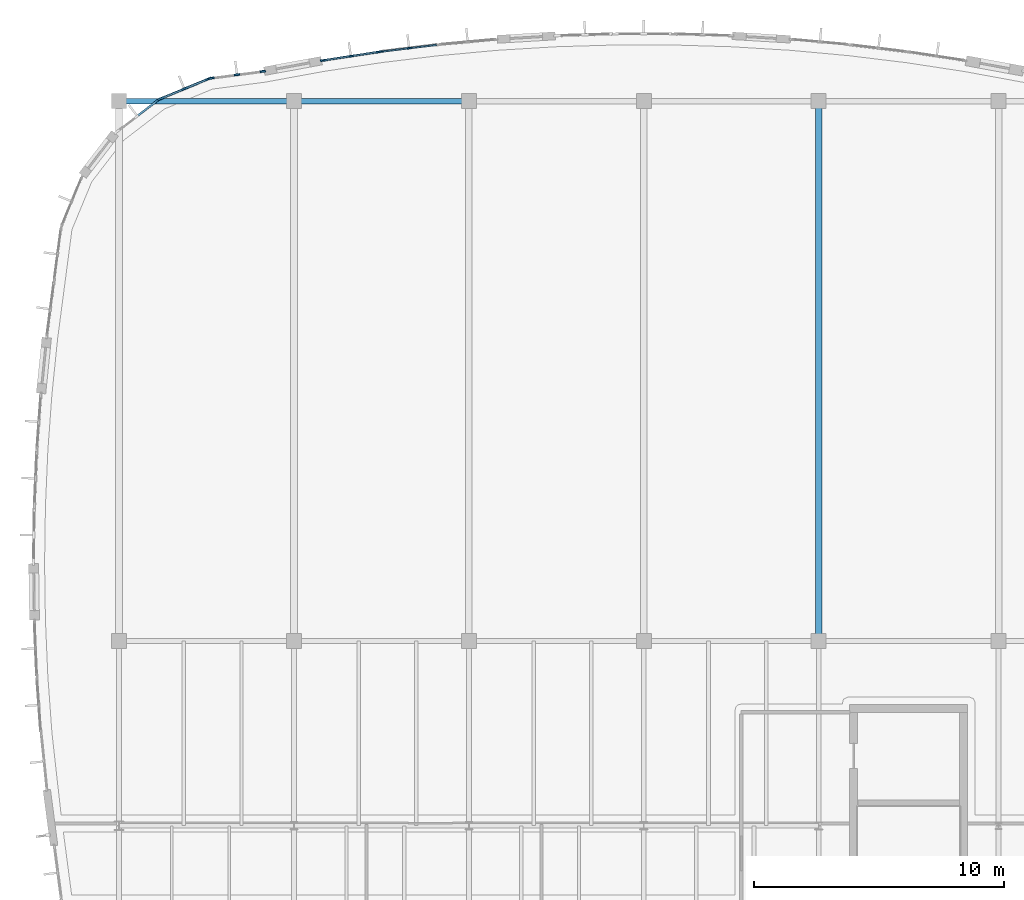
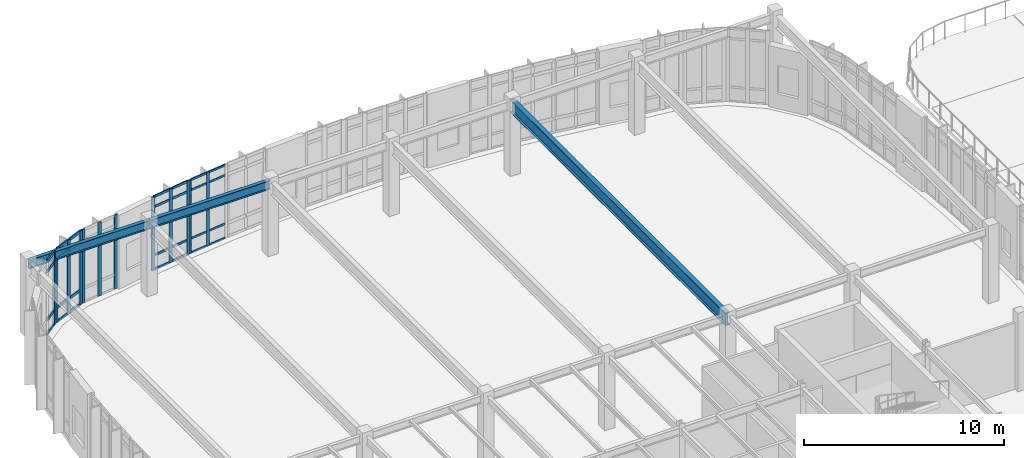
# One storey, part 46 of 120: 40 members, 3 beams, 5 elements without a shape of their own.
"""IFC4 building model written with IfcOpenShell, lengths in metres."""

from ifc_helpers import new_model, si_unit, direction, frame, origin, origin_2d, place, context, subcontext, project, spatial, rectangle, i_section, extrude, material, material_profile, profile_set, type_object, element, aggregate, save


model = new_model("IFC4")

# Units and contexts
model_context = context("Model", 3, precision=1e-05, world=origin(), true_north=direction((0.0, 1.0)))
body_context = subcontext(model_context, "Body", "Model", "MODEL_VIEW")
ifc_project = project(units=[si_unit("LENGTHUNIT", "METRE"), si_unit("AREAUNIT", "SQUARE_METRE"), si_unit("VOLUMEUNIT", "CUBIC_METRE"), si_unit("PLANEANGLEUNIT", "RADIAN"), si_unit("MASSUNIT", "GRAM", prefix="KILO")], contexts=[model_context])

# Site, building, storey
site_placement = place(None, origin())
site = spatial("IfcSite", under=ifc_project, at=site_placement, CompositionType="ELEMENT")
building_placement = place(site_placement, origin())
building = spatial("IfcBuilding", under=site, at=building_placement, Name="Corveleigh Park Community Centre", CompositionType="ELEMENT")
storey_placement = place(building_placement, origin())
storey = spatial("IfcBuildingStorey", under=building, at=storey_placement, Name="L00", CompositionType="ELEMENT", Elevation=0.0)

# Beams
ifc_material_1 = material(Name="Steel S355", Category="steel")
ifc_material_profile_1 = material_profile(ifc_material_1, i_section(OverallWidth=0.2099609375, OverallDepth=0.53662109375, WebThickness=0.0107421875, FlangeThickness=0.017333984375, at=origin_2d()), Name="UKB 533x210x101", Category="steel")
ifc_profile_set_1 = profile_set([ifc_material_profile_1], Name="Steel S355")
beam_type_1 = type_object("IfcBeamType", Name="BM-STL-UKB533x101", PredefinedType="BEAM", material=ifc_profile_set_1)
for number, where, z_axis, x_axis, name in (
    (1, (11.205078125, 114.39990234375, 4.24365234375), (1.0, 0.0, 0.0), (0.0, 1.0, 0.0), "V2 North Hall Girder"),
    (2, (18.205078125, 114.39990234375, 4.24365234375), (1.0, 0.0, 0.0), (0.0, 1.0, 0.0), "V2 North Hall Girder"),
):
    element("IfcBeam", number, at=place(storey_placement, frame(where, z_axis=z_axis, x_axis=x_axis)), inside=storey, type_object=beam_type_1, Name=name, PredefinedType="BEAM", context=body_context, shape_type="SweptSolid", body=[
        extrude(i_section(OverallWidth=0.2099609375, OverallDepth=0.53662109375, WebThickness=0.0107421875, FlangeThickness=0.017333984375, at=origin_2d()), origin(), (0.0, 0.0, 1.0), 6.989990234375),
    ])
ifc_material_profile_2 = material_profile(ifc_material_1, i_section(OverallWidth=0.2666015625, OverallDepth=0.76220703125, WebThickness=0.014404296875, FlangeThickness=0.021484375, at=origin_2d()), Name="UKB 762x267x173", Category="steel")
ifc_profile_set_2 = profile_set([ifc_material_profile_2], Name="Steel S355")
beam_type_2 = type_object("IfcBeamType", Name="BM-STL-UKB762x173", PredefinedType="BEAM", material=ifc_profile_set_2)
beam_placement = place(storey_placement, frame((39.199951171875, 92.804931640625, 4.14599609375), z_axis=(0.0, 1.0, 0.0), x_axis=(-1.0, 0.0, 0.0)))
element("IfcBeam", 3, at=beam_placement, inside=storey, type_object=beam_type_2, Name="V2 Hall Floor Girder", PredefinedType="BEAM", context=body_context, shape_type="SweptSolid", body=[
    extrude(i_section(OverallWidth=0.2666015625, OverallDepth=0.76220703125, WebThickness=0.014404296875, FlangeThickness=0.021484375, at=origin_2d()), origin(), (0.0, 0.0, 1.0), 21.590087890625),
])

# Curtain wall, members
ifc_material_2 = material(Name="Anodised aluminium 6063-T6", Category="aluminium")
curtain_wall_type = type_object("IfcCurtainWallType", Name="CW-SYS-V2-L00", PredefinedType="NOTDEFINED", material=ifc_material_2)
curtain_wall_1_placement = place(storey_placement, origin())
curtain_wall_1 = element("IfcCurtainWall", 4, at=curtain_wall_1_placement, inside=storey, type_object=curtain_wall_type, Name="V2 L00 Curtain Wall 56", PredefinedType="NOTDEFINED")
ifc_material_profile_3 = material_profile(ifc_material_2, rectangle(XDim=0.06494140625, YDim=0.179931640625, at=origin_2d()), Name="ALU-M65x180", Category="aluminium")
ifc_profile_set_3 = profile_set([ifc_material_profile_3], Name="Anodised aluminium 6063-T6")
member_type_1 = type_object("IfcMemberType", Name="CWM-65x180", PredefinedType="MULLION", material=ifc_profile_set_3)
member_1_placement = place(storey_placement, frame((21.682373046875, 116.384033203125, 0.0), z_axis=(0.0, 0.0, 1.0), x_axis=(-0.120714875524, 0.992687221046, 0.0)))
member_1 = element("IfcMember", 5, at=member_1_placement, type_object=member_type_1, Name="CW03 mullion 1", PredefinedType="MULLION", context=body_context, shape_type="SweptSolid", body=[
    extrude(rectangle(XDim=0.06494140625, YDim=0.179931640625, at=origin_2d()), origin(), (0.0, 0.0, 1.0), 4.511962890625),
])
member_2_placement = place(storey_placement, frame((22.8095703125, 116.52099609375, 0.0), z_axis=(0.0, 0.0, 1.0), x_axis=(-0.120714875524, 0.992687221046, 0.0)))
member_2 = element("IfcMember", 6, at=member_2_placement, type_object=member_type_1, Name="CW03 mullion 2", PredefinedType="MULLION", context=body_context, shape_type="SweptSolid", body=[
    extrude(rectangle(XDim=0.06494140625, YDim=0.179931640625, at=origin_2d()), origin(), (0.0, 0.0, 1.0), 4.511962890625),
])

curtain_wall_2_placement = place(storey_placement, origin())
curtain_wall_2 = element("IfcCurtainWall", 7, at=curtain_wall_2_placement, inside=storey, type_object=curtain_wall_type, Name="V2 L00 Curtain Wall 57", PredefinedType="NOTDEFINED")
ifc_material_profile_4 = material_profile(ifc_material_2, rectangle(XDim=0.070068359375, YDim=0.199951171875, at=origin_2d()), Name="ALU-M70x200", Category="aluminium")
ifc_profile_set_4 = profile_set([ifc_material_profile_4], Name="Anodised aluminium 6063-T6")
member_type_2 = type_object("IfcMemberType", Name="CWM-70x200", PredefinedType="MULLION", material=ifc_profile_set_4)
member_3_placement = place(storey_placement, frame((19.358642578125, 116.03125, 0.0), z_axis=(0.0, 0.0, 1.0), x_axis=(-0.150769611128, 0.988568927471, 0.0)))
member_3 = element("IfcMember", 8, at=member_3_placement, type_object=member_type_2, Name="CW03 mullion 1", PredefinedType="MULLION", context=body_context, shape_type="SweptSolid", body=[
    extrude(rectangle(XDim=0.070068359375, YDim=0.199951171875, at=origin_2d()), origin(), (0.0, 0.0, 1.0), 4.511962890625),
])
member_4_placement = place(storey_placement, frame((20.47802734375, 116.201904296875, 0.0), z_axis=(0.0, 0.0, 1.0), x_axis=(-0.150769611128, 0.988568927471, 0.0)))
member_4 = element("IfcMember", 9, at=member_4_placement, type_object=member_type_2, Name="CW03 mullion 2", PredefinedType="MULLION", context=body_context, shape_type="SweptSolid", body=[
    extrude(rectangle(XDim=0.070068359375, YDim=0.199951171875, at=origin_2d()), origin(), (0.0, 0.0, 1.0), 4.511962890625),
])
member_5_placement = place(storey_placement, frame((21.597412109375, 116.372802734375, 0.0), z_axis=(0.0, 0.0, 1.0), x_axis=(-0.150769611128, 0.988568927471, 0.0)))
member_5 = element("IfcMember", 10, at=member_5_placement, type_object=member_type_2, Name="CW03 mullion 3", PredefinedType="MULLION", context=body_context, shape_type="SweptSolid", body=[
    extrude(rectangle(XDim=0.070068359375, YDim=0.199951171875, at=origin_2d()), origin(), (0.0, 0.0, 1.0), 4.511962890625),
])

curtain_wall_3_placement = place(storey_placement, origin())
curtain_wall_3 = element("IfcCurtainWall", 11, at=curtain_wall_3_placement, inside=storey, type_object=curtain_wall_type, Name="V2 L00 Curtain Wall 58", PredefinedType="NOTDEFINED")
ifc_material_profile_5 = material_profile(ifc_material_2, rectangle(XDim=0.074951171875, YDim=0.219970703125, at=origin_2d()), Name="ALU-M75x220", Category="aluminium")
ifc_profile_set_5 = profile_set([ifc_material_profile_5], Name="Anodised aluminium 6063-T6")
member_type_3 = type_object("IfcMemberType", Name="CWM-75x220", PredefinedType="MULLION", material=ifc_profile_set_5)
member_6_placement = place(storey_placement, frame((14.895263671875, 115.322998046875, 0.0), z_axis=(0.0, 0.0, 1.0), x_axis=(-0.130731305458, 0.991417836118, 0.0)))
member_6 = element("IfcMember", 12, at=member_6_placement, type_object=member_type_3, Name="CW03 mullion 1", PredefinedType="MULLION", context=body_context, shape_type="SweptSolid", body=[
    extrude(rectangle(XDim=0.074951171875, YDim=0.219970703125, at=origin_2d()), origin(), (0.0, 0.0, 1.0), 4.511962890625),
])
member_7_placement = place(storey_placement, frame((15.923583984375, 115.45849609375, 0.0), z_axis=(0.0, 0.0, 1.0), x_axis=(-0.130731305458, 0.991417836118, 0.0)))
member_7 = element("IfcMember", 13, at=member_7_placement, type_object=member_type_3, Name="CW03 mullion 2", PredefinedType="MULLION", context=body_context, shape_type="SweptSolid", body=[
    extrude(rectangle(XDim=0.074951171875, YDim=0.219970703125, at=origin_2d()), origin(), (0.0, 0.0, 1.0), 4.511962890625),
])
member_8_placement = place(storey_placement, frame((16.951904296875, 115.593994140625, 0.0), z_axis=(0.0, 0.0, 1.0), x_axis=(-0.130731305458, 0.991417836118, 0.0)))
member_8 = element("IfcMember", 14, at=member_8_placement, type_object=member_type_3, Name="CW03 mullion 3", PredefinedType="MULLION", context=body_context, shape_type="SweptSolid", body=[
    extrude(rectangle(XDim=0.074951171875, YDim=0.219970703125, at=origin_2d()), origin(), (0.0, 0.0, 1.0), 4.511962890625),
])
aggregate(curtain_wall_3, [member_6, member_7, member_8])

curtain_wall_4_placement = place(storey_placement, origin())
curtain_wall_4 = element("IfcCurtainWall", 15, at=curtain_wall_4_placement, inside=storey, type_object=curtain_wall_type, Name="V2 L00 Curtain Wall 59", PredefinedType="NOTDEFINED")
ifc_material_profile_6 = material_profile(ifc_material_2, rectangle(XDim=0.080078125, YDim=0.25, at=origin_2d()), Name="ALU-M80x250", Category="aluminium")
ifc_profile_set_6 = profile_set([ifc_material_profile_6], Name="Anodised aluminium 6063-T6")
member_type_4 = type_object("IfcMemberType", Name="CWM-80x250", PredefinedType="MULLION", material=ifc_profile_set_6)
member_9_placement = place(storey_placement, frame((12.866943359375, 114.502197265625, 0.0), z_axis=(0.0, 0.0, 1.0), x_axis=(-0.382946568059, 0.923770494231, 0.0)))
member_9 = element("IfcMember", 16, at=member_9_placement, type_object=member_type_4, Name="CW03 mullion 1", PredefinedType="MULLION", context=body_context, shape_type="SweptSolid", body=[
    extrude(rectangle(XDim=0.080078125, YDim=0.25, at=origin_2d()), origin(), (0.0, 0.0, 1.0), 4.511962890625),
])
member_10_placement = place(storey_placement, frame((13.81298828125, 114.89453125, 0.0), z_axis=(0.0, 0.0, 1.0), x_axis=(-0.382946568059, 0.923770494231, 0.0)))
member_10 = element("IfcMember", 17, at=member_10_placement, type_object=member_type_4, Name="CW03 mullion 2", PredefinedType="MULLION", context=body_context, shape_type="SweptSolid", body=[
    extrude(rectangle(XDim=0.080078125, YDim=0.25, at=origin_2d()), origin(), (0.0, 0.0, 1.0), 4.511962890625),
])
member_11_placement = place(storey_placement, frame((14.759033203125, 115.28662109375, 0.0), z_axis=(0.0, 0.0, 1.0), x_axis=(-0.382946568059, 0.923770494231, 0.0)))
member_11 = element("IfcMember", 18, at=member_11_placement, type_object=member_type_4, Name="CW03 mullion 3", PredefinedType="MULLION", context=body_context, shape_type="SweptSolid", body=[
    extrude(rectangle(XDim=0.080078125, YDim=0.25, at=origin_2d()), origin(), (0.0, 0.0, 1.0), 4.511962890625),
])

# Curtain wall, member
curtain_wall_5_placement = place(storey_placement, origin())
curtain_wall_5 = element("IfcCurtainWall", 19, at=curtain_wall_5_placement, inside=storey, type_object=curtain_wall_type, Name="V2 L00 Curtain Wall 60", PredefinedType="NOTDEFINED")
ifc_material_profile_7 = material_profile(ifc_material_2, rectangle(XDim=0.0849609375, YDim=0.27490234375, at=origin_2d()), Name="ALU-M85x275", Category="aluminium")
ifc_profile_set_7 = profile_set([ifc_material_profile_7], Name="Anodised aluminium 6063-T6")
member_type_5 = type_object("IfcMemberType", Name="CWM-85x275", PredefinedType="MULLION", material=ifc_profile_set_7)
member_12_placement = place(storey_placement, frame((12.7412109375, 114.43017578125, 0.0), z_axis=(0.0, 0.0, 1.0), x_axis=(-0.608825655317, 0.793304053581, 0.0)))
member_12 = element("IfcMember", 20, at=member_12_placement, type_object=member_type_5, Name="CW03 mullion 3", PredefinedType="MULLION", context=body_context, shape_type="SweptSolid", body=[
    extrude(rectangle(XDim=0.0849609375, YDim=0.27490234375, at=origin_2d()), origin(), (0.0, 0.0, 1.0), 4.511962890625),
])

# Member
ifc_material_profile_8 = material_profile(ifc_material_2, rectangle(XDim=0.06005859375, YDim=0.1201171875, at=origin_2d()), Name="ALU-T60x120", Category="aluminium")
ifc_profile_set_8 = profile_set([ifc_material_profile_8], Name="Anodised aluminium 6063-T6")
member_type_6 = type_object("IfcMemberType", Name="CWT-60x120", PredefinedType="USERDEFINED", material=ifc_profile_set_8)
member_13_placement = place(storey_placement, frame((21.714599609375, 116.387939453125, 0.030029296875), z_axis=(0.9926965865, 0.120637834656, 0.0), x_axis=(-0.120637834656, 0.9926965865, 0.0)))
member_13 = element("IfcMember", 21, at=member_13_placement, type_object=member_type_6, Name="CW03 transom 1.1", ObjectType="TRANSOM", PredefinedType="USERDEFINED", context=body_context, shape_type="SweptSolid", body=[
    extrude(rectangle(XDim=0.06005859375, YDim=0.1201171875, at=origin_2d()), origin(), (0.0, 0.0, 1.0), 1.070556640625),
])

member_14_placement = place(storey_placement, frame((21.714599609375, 116.387939453125, 0.89990234375), z_axis=(0.9926965865, 0.120637834656, 0.0), x_axis=(-0.120637834656, 0.9926965865, 0.0)))
member_14 = element("IfcMember", 22, at=member_14_placement, type_object=member_type_6, Name="CW03 transom 1.2", ObjectType="TRANSOM", PredefinedType="USERDEFINED", context=body_context, shape_type="SweptSolid", body=[
    extrude(rectangle(XDim=0.06005859375, YDim=0.1201171875, at=origin_2d()), origin(), (0.0, 0.0, 1.0), 1.070556640625),
])

member_15_placement = place(storey_placement, frame((21.714599609375, 116.387939453125, 3.862060546875), z_axis=(0.9926965865, 0.120637834656, 0.0), x_axis=(-0.120637834656, 0.9926965865, 0.0)))
member_15 = element("IfcMember", 23, at=member_15_placement, type_object=member_type_6, Name="CW03 transom 1.3", ObjectType="TRANSOM", PredefinedType="USERDEFINED", context=body_context, shape_type="SweptSolid", body=[
    extrude(rectangle(XDim=0.06005859375, YDim=0.1201171875, at=origin_2d()), origin(), (0.0, 0.0, 1.0), 1.070556640625),
])

member_16_placement = place(storey_placement, frame((21.714599609375, 116.387939453125, 4.48193359375), z_axis=(0.9926965865, 0.120637834656, 0.0), x_axis=(-0.120637834656, 0.9926965865, 0.0)))
member_16 = element("IfcMember", 24, at=member_16_placement, type_object=member_type_6, Name="CW03 transom 1.4", ObjectType="TRANSOM", PredefinedType="USERDEFINED", context=body_context, shape_type="SweptSolid", body=[
    extrude(rectangle(XDim=0.06005859375, YDim=0.1201171875, at=origin_2d()), origin(), (0.0, 0.0, 1.0), 1.070556640625),
])

member_17_placement = place(storey_placement, frame((22.841796875, 116.52490234375, 0.030029296875), z_axis=(0.9926965865, 0.120637834656, 0.0), x_axis=(-0.120637834656, 0.9926965865, 0.0)))
member_17 = element("IfcMember", 25, at=member_17_placement, type_object=member_type_6, Name="CW03 transom 2.1", ObjectType="TRANSOM", PredefinedType="USERDEFINED", context=body_context, shape_type="SweptSolid", body=[
    extrude(rectangle(XDim=0.06005859375, YDim=0.1201171875, at=origin_2d()), origin(), (0.0, 0.0, 1.0), 1.070556640625),
])

member_18_placement = place(storey_placement, frame((22.841796875, 116.52490234375, 0.89990234375), z_axis=(0.9926965865, 0.120637834656, 0.0), x_axis=(-0.120637834656, 0.9926965865, 0.0)))
member_18 = element("IfcMember", 26, at=member_18_placement, type_object=member_type_6, Name="CW03 transom 2.2", ObjectType="TRANSOM", PredefinedType="USERDEFINED", context=body_context, shape_type="SweptSolid", body=[
    extrude(rectangle(XDim=0.06005859375, YDim=0.1201171875, at=origin_2d()), origin(), (0.0, 0.0, 1.0), 1.070556640625),
])

member_19_placement = place(storey_placement, frame((22.841796875, 116.52490234375, 3.862060546875), z_axis=(0.9926965865, 0.120637834656, 0.0), x_axis=(-0.120637834656, 0.9926965865, 0.0)))
member_19 = element("IfcMember", 27, at=member_19_placement, type_object=member_type_6, Name="CW03 transom 2.3", ObjectType="TRANSOM", PredefinedType="USERDEFINED", context=body_context, shape_type="SweptSolid", body=[
    extrude(rectangle(XDim=0.06005859375, YDim=0.1201171875, at=origin_2d()), origin(), (0.0, 0.0, 1.0), 1.070556640625),
])

member_20_placement = place(storey_placement, frame((22.841796875, 116.52490234375, 4.48193359375), z_axis=(0.9926965865, 0.120637834656, 0.0), x_axis=(-0.120637834656, 0.9926965865, 0.0)))
member_20 = element("IfcMember", 28, at=member_20_placement, type_object=member_type_6, Name="CW03 transom 2.4", ObjectType="TRANSOM", PredefinedType="USERDEFINED", context=body_context, shape_type="SweptSolid", body=[
    extrude(rectangle(XDim=0.06005859375, YDim=0.1201171875, at=origin_2d()), origin(), (0.0, 0.0, 1.0), 1.070556640625),
])

aggregate(curtain_wall_1, [member_1, member_2, member_13, member_14, member_15, member_16, member_17, member_18, member_19, member_20])

ifc_material_profile_9 = material_profile(ifc_material_2, rectangle(XDim=0.06494140625, YDim=0.139892578125, at=origin_2d()), Name="ALU-T65x140", Category="aluminium")
ifc_profile_set_9 = profile_set([ifc_material_profile_9], Name="Anodised aluminium 6063-T6")
member_type_7 = type_object("IfcMemberType", Name="CWT-65x140", PredefinedType="USERDEFINED", material=ifc_profile_set_9)
member_21_placement = place(storey_placement, frame((19.393310546875, 116.03662109375, 0.032470703125), z_axis=(0.988567502499, 0.150778954113, 0.0), x_axis=(-0.150778954113, 0.988567502499, 0.0)))
member_21 = element("IfcMember", 29, at=member_21_placement, type_object=member_type_7, Name="CW03 transom 1.1", ObjectType="TRANSOM", PredefinedType="USERDEFINED", context=body_context, shape_type="SweptSolid", body=[
    extrude(rectangle(XDim=0.06494140625, YDim=0.139892578125, at=origin_2d()), origin(), (0.0, 0.0, 1.0), 1.062255859375),
])

member_22_placement = place(storey_placement, frame((19.393310546875, 116.03662109375, 0.89990234375), z_axis=(0.988567502499, 0.150778954113, 0.0), x_axis=(-0.150778954113, 0.988567502499, 0.0)))
member_22 = element("IfcMember", 30, at=member_22_placement, type_object=member_type_7, Name="CW03 transom 1.2", ObjectType="TRANSOM", PredefinedType="USERDEFINED", context=body_context, shape_type="SweptSolid", body=[
    extrude(rectangle(XDim=0.06494140625, YDim=0.139892578125, at=origin_2d()), origin(), (0.0, 0.0, 1.0), 1.062255859375),
])

member_23_placement = place(storey_placement, frame((19.393310546875, 116.03662109375, 3.862060546875), z_axis=(0.988567502499, 0.150778954113, 0.0), x_axis=(-0.150778954113, 0.988567502499, 0.0)))
member_23 = element("IfcMember", 31, at=member_23_placement, type_object=member_type_7, Name="CW03 transom 1.3", ObjectType="TRANSOM", PredefinedType="USERDEFINED", context=body_context, shape_type="SweptSolid", body=[
    extrude(rectangle(XDim=0.06494140625, YDim=0.139892578125, at=origin_2d()), origin(), (0.0, 0.0, 1.0), 1.062255859375),
])

member_24_placement = place(storey_placement, frame((19.393310546875, 116.03662109375, 4.4794921875), z_axis=(0.988567502499, 0.150778954113, 0.0), x_axis=(-0.150778954113, 0.988567502499, 0.0)))
member_24 = element("IfcMember", 32, at=member_24_placement, type_object=member_type_7, Name="CW03 transom 1.4", ObjectType="TRANSOM", PredefinedType="USERDEFINED", context=body_context, shape_type="SweptSolid", body=[
    extrude(rectangle(XDim=0.06494140625, YDim=0.139892578125, at=origin_2d()), origin(), (0.0, 0.0, 1.0), 1.062255859375),
])

member_25_placement = place(storey_placement, frame((20.5126953125, 116.207275390625, 0.032470703125), z_axis=(0.988567502499, 0.150778954113, 0.0), x_axis=(-0.150778954113, 0.988567502499, 0.0)))
member_25 = element("IfcMember", 33, at=member_25_placement, type_object=member_type_7, Name="CW03 transom 2.1", ObjectType="TRANSOM", PredefinedType="USERDEFINED", context=body_context, shape_type="SweptSolid", body=[
    extrude(rectangle(XDim=0.06494140625, YDim=0.139892578125, at=origin_2d()), origin(), (0.0, 0.0, 1.0), 1.062255859375),
])

member_26_placement = place(storey_placement, frame((20.5126953125, 116.207275390625, 0.89990234375), z_axis=(0.988567502499, 0.150778954113, 0.0), x_axis=(-0.150778954113, 0.988567502499, 0.0)))
member_26 = element("IfcMember", 34, at=member_26_placement, type_object=member_type_7, Name="CW03 transom 2.2", ObjectType="TRANSOM", PredefinedType="USERDEFINED", context=body_context, shape_type="SweptSolid", body=[
    extrude(rectangle(XDim=0.06494140625, YDim=0.139892578125, at=origin_2d()), origin(), (0.0, 0.0, 1.0), 1.062255859375),
])

member_27_placement = place(storey_placement, frame((20.5126953125, 116.207275390625, 3.862060546875), z_axis=(0.988567502499, 0.150778954113, 0.0), x_axis=(-0.150778954113, 0.988567502499, 0.0)))
member_27 = element("IfcMember", 35, at=member_27_placement, type_object=member_type_7, Name="CW03 transom 2.3", ObjectType="TRANSOM", PredefinedType="USERDEFINED", context=body_context, shape_type="SweptSolid", body=[
    extrude(rectangle(XDim=0.06494140625, YDim=0.139892578125, at=origin_2d()), origin(), (0.0, 0.0, 1.0), 1.062255859375),
])

member_28_placement = place(storey_placement, frame((20.5126953125, 116.207275390625, 4.4794921875), z_axis=(0.988567502499, 0.150778954113, 0.0), x_axis=(-0.150778954113, 0.988567502499, 0.0)))
member_28 = element("IfcMember", 36, at=member_28_placement, type_object=member_type_7, Name="CW03 transom 2.4", ObjectType="TRANSOM", PredefinedType="USERDEFINED", context=body_context, shape_type="SweptSolid", body=[
    extrude(rectangle(XDim=0.06494140625, YDim=0.139892578125, at=origin_2d()), origin(), (0.0, 0.0, 1.0), 1.062255859375),
])

aggregate(curtain_wall_2, [member_3, member_4, member_5, member_21, member_22, member_23, member_24, member_25, member_26, member_27, member_28])

ifc_material_profile_10 = material_profile(ifc_material_2, rectangle(XDim=0.074951171875, YDim=0.175048828125, at=origin_2d()), Name="ALU-T75x175", Category="aluminium")
ifc_profile_set_10 = profile_set([ifc_material_profile_10], Name="Anodised aluminium 6063-T6")
member_type_8 = type_object("IfcMemberType", Name="CWT-75x175", PredefinedType="USERDEFINED", material=ifc_profile_set_10)
member_29_placement = place(storey_placement, frame((12.90380859375, 114.517578125, 0.03759765625), z_axis=(0.923786729545, 0.382907401751, 0.0), x_axis=(-0.382907401751, 0.923786729545, 0.0)))
member_29 = element("IfcMember", 37, at=member_29_placement, type_object=member_type_8, Name="CW03 transom 1.1", ObjectType="TRANSOM", PredefinedType="USERDEFINED", context=body_context, shape_type="SweptSolid", body=[
    extrude(rectangle(XDim=0.074951171875, YDim=0.175048828125, at=origin_2d()), origin(), (0.0, 0.0, 1.0), 0.9443359375),
])

member_30_placement = place(storey_placement, frame((12.90380859375, 114.517578125, 0.89990234375), z_axis=(0.923786729545, 0.382907401751, 0.0), x_axis=(-0.382907401751, 0.923786729545, 0.0)))
member_30 = element("IfcMember", 38, at=member_30_placement, type_object=member_type_8, Name="CW03 transom 1.2", ObjectType="TRANSOM", PredefinedType="USERDEFINED", context=body_context, shape_type="SweptSolid", body=[
    extrude(rectangle(XDim=0.074951171875, YDim=0.175048828125, at=origin_2d()), origin(), (0.0, 0.0, 1.0), 0.9443359375),
])

member_31_placement = place(storey_placement, frame((12.90380859375, 114.517578125, 3.862060546875), z_axis=(0.923786729545, 0.382907401751, 0.0), x_axis=(-0.382907401751, 0.923786729545, 0.0)))
member_31 = element("IfcMember", 39, at=member_31_placement, type_object=member_type_8, Name="CW03 transom 1.3", ObjectType="TRANSOM", PredefinedType="USERDEFINED", context=body_context, shape_type="SweptSolid", body=[
    extrude(rectangle(XDim=0.074951171875, YDim=0.175048828125, at=origin_2d()), origin(), (0.0, 0.0, 1.0), 0.9443359375),
])

member_32_placement = place(storey_placement, frame((12.90380859375, 114.517578125, 4.474609375), z_axis=(0.923786729545, 0.382907401751, 0.0), x_axis=(-0.382907401751, 0.923786729545, 0.0)))
member_32 = element("IfcMember", 40, at=member_32_placement, type_object=member_type_8, Name="CW03 transom 1.4", ObjectType="TRANSOM", PredefinedType="USERDEFINED", context=body_context, shape_type="SweptSolid", body=[
    extrude(rectangle(XDim=0.074951171875, YDim=0.175048828125, at=origin_2d()), origin(), (0.0, 0.0, 1.0), 0.9443359375),
])

member_33_placement = place(storey_placement, frame((13.849853515625, 114.909912109375, 0.03759765625), z_axis=(0.923786729545, 0.382907401751, 0.0), x_axis=(-0.382907401751, 0.923786729545, 0.0)))
member_33 = element("IfcMember", 41, at=member_33_placement, type_object=member_type_8, Name="CW03 transom 2.1", ObjectType="TRANSOM", PredefinedType="USERDEFINED", context=body_context, shape_type="SweptSolid", body=[
    extrude(rectangle(XDim=0.074951171875, YDim=0.175048828125, at=origin_2d()), origin(), (0.0, 0.0, 1.0), 0.9443359375),
])

member_34_placement = place(storey_placement, frame((13.849853515625, 114.909912109375, 0.89990234375), z_axis=(0.923786729545, 0.382907401751, 0.0), x_axis=(-0.382907401751, 0.923786729545, 0.0)))
member_34 = element("IfcMember", 42, at=member_34_placement, type_object=member_type_8, Name="CW03 transom 2.2", ObjectType="TRANSOM", PredefinedType="USERDEFINED", context=body_context, shape_type="SweptSolid", body=[
    extrude(rectangle(XDim=0.074951171875, YDim=0.175048828125, at=origin_2d()), origin(), (0.0, 0.0, 1.0), 0.9443359375),
])

member_35_placement = place(storey_placement, frame((13.849853515625, 114.909912109375, 3.862060546875), z_axis=(0.923786729545, 0.382907401751, 0.0), x_axis=(-0.382907401751, 0.923786729545, 0.0)))
member_35 = element("IfcMember", 43, at=member_35_placement, type_object=member_type_8, Name="CW03 transom 2.3", ObjectType="TRANSOM", PredefinedType="USERDEFINED", context=body_context, shape_type="SweptSolid", body=[
    extrude(rectangle(XDim=0.074951171875, YDim=0.175048828125, at=origin_2d()), origin(), (0.0, 0.0, 1.0), 0.9443359375),
])

member_36_placement = place(storey_placement, frame((13.849853515625, 114.909912109375, 4.474609375), z_axis=(0.923786729545, 0.382907401751, 0.0), x_axis=(-0.382907401751, 0.923786729545, 0.0)))
member_36 = element("IfcMember", 44, at=member_36_placement, type_object=member_type_8, Name="CW03 transom 2.4", ObjectType="TRANSOM", PredefinedType="USERDEFINED", context=body_context, shape_type="SweptSolid", body=[
    extrude(rectangle(XDim=0.074951171875, YDim=0.175048828125, at=origin_2d()), origin(), (0.0, 0.0, 1.0), 0.9443359375),
])

aggregate(curtain_wall_4, [member_9, member_10, member_11, member_29, member_30, member_31, member_32, member_33, member_34, member_35, member_36])

ifc_material_profile_11 = material_profile(ifc_material_2, rectangle(XDim=0.080078125, YDim=0.195068359375, at=origin_2d()), Name="ALU-T80x195", Category="aluminium")
ifc_profile_set_11 = profile_set([ifc_material_profile_11], Name="Anodised aluminium 6063-T6")
member_type_9 = type_object("IfcMemberType", Name="CWT-80x195", PredefinedType="USERDEFINED", material=ifc_profile_set_11)
member_37_placement = place(storey_placement, frame((11.963623046875, 113.83349609375, 0.0400390625), z_axis=(0.793359040843, 0.608753999833, 0.0), x_axis=(-0.608753999833, 0.793359040843, 0.0)))
member_37 = element("IfcMember", 45, at=member_37_placement, type_object=member_type_9, Name="CW03 transom 2.1", ObjectType="TRANSOM", PredefinedType="USERDEFINED", context=body_context, shape_type="SweptSolid", body=[
    extrude(rectangle(XDim=0.080078125, YDim=0.195068359375, at=origin_2d()), origin(), (0.0, 0.0, 1.0), 0.937744140625),
])

member_38_placement = place(storey_placement, frame((11.963623046875, 113.83349609375, 0.89990234375), z_axis=(0.793359040843, 0.608753999833, 0.0), x_axis=(-0.608753999833, 0.793359040843, 0.0)))
member_38 = element("IfcMember", 46, at=member_38_placement, type_object=member_type_9, Name="CW03 transom 2.2", ObjectType="TRANSOM", PredefinedType="USERDEFINED", context=body_context, shape_type="SweptSolid", body=[
    extrude(rectangle(XDim=0.080078125, YDim=0.195068359375, at=origin_2d()), origin(), (0.0, 0.0, 1.0), 0.937744140625),
])

member_39_placement = place(storey_placement, frame((11.963623046875, 113.83349609375, 3.862060546875), z_axis=(0.793359040843, 0.608753999833, 0.0), x_axis=(-0.608753999833, 0.793359040843, 0.0)))
member_39 = element("IfcMember", 47, at=member_39_placement, type_object=member_type_9, Name="CW03 transom 2.3", ObjectType="TRANSOM", PredefinedType="USERDEFINED", context=body_context, shape_type="SweptSolid", body=[
    extrude(rectangle(XDim=0.080078125, YDim=0.195068359375, at=origin_2d()), origin(), (0.0, 0.0, 1.0), 0.937744140625),
])

member_40_placement = place(storey_placement, frame((11.963623046875, 113.83349609375, 4.471923828125), z_axis=(0.793359040843, 0.608753999833, 0.0), x_axis=(-0.608753999833, 0.793359040843, 0.0)))
member_40 = element("IfcMember", 48, at=member_40_placement, type_object=member_type_9, Name="CW03 transom 2.4", ObjectType="TRANSOM", PredefinedType="USERDEFINED", context=body_context, shape_type="SweptSolid", body=[
    extrude(rectangle(XDim=0.080078125, YDim=0.195068359375, at=origin_2d()), origin(), (0.0, 0.0, 1.0), 0.937744140625),
])

aggregate(curtain_wall_5, [member_12, member_37, member_38, member_39, member_40])

save(model, "model.ifc")
